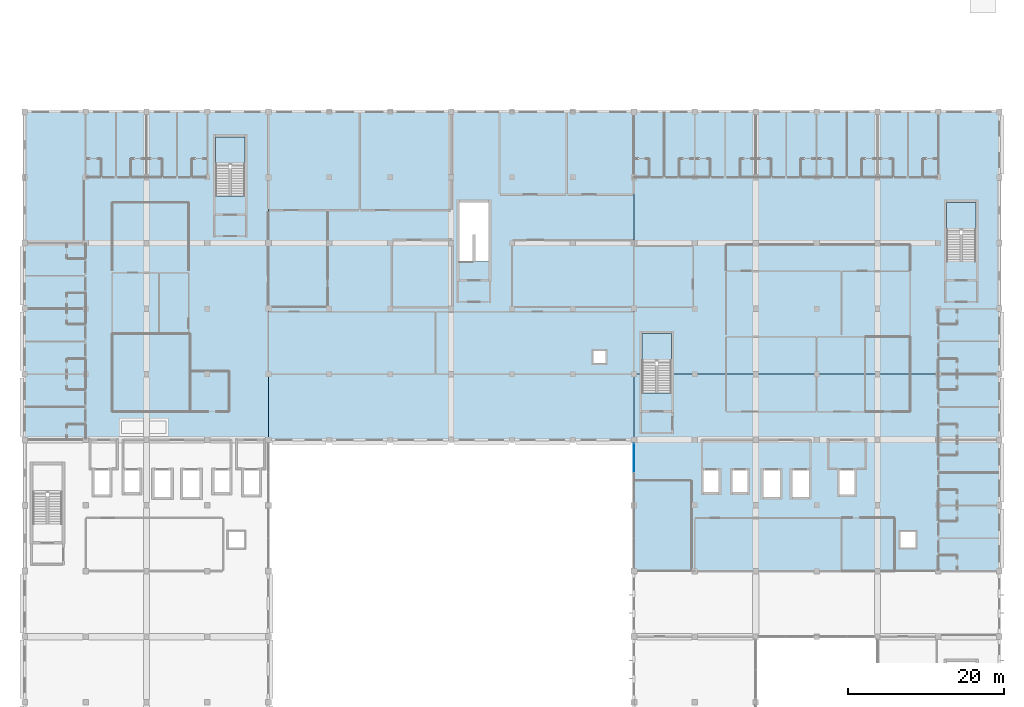
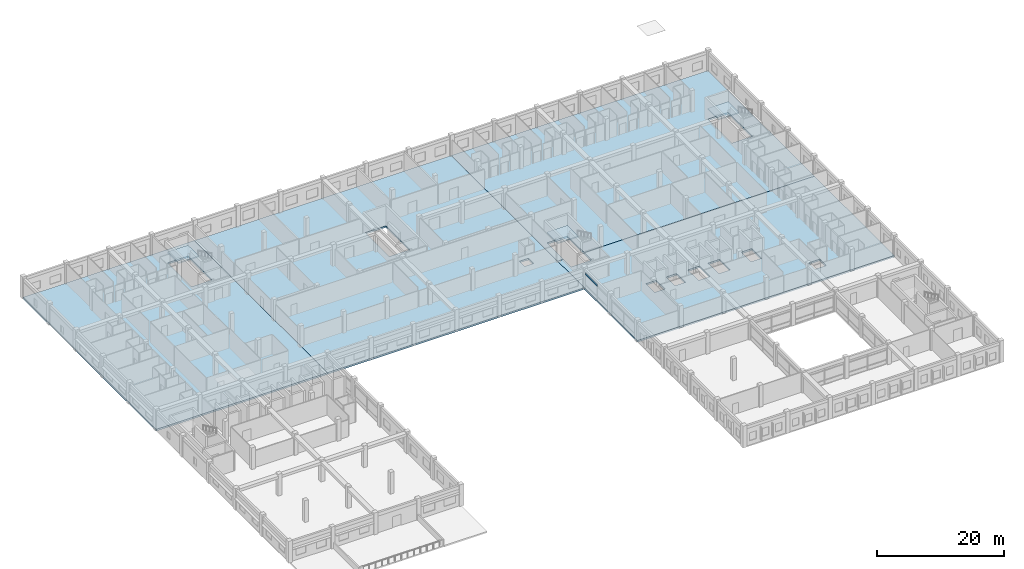
# One storey, part 26 of 53: 7 slabs, 1 plate, 4 elements without a shape of their own.
"""IFC4 building model written with IfcOpenShell, lengths in metres."""

import ifcopenshell
import ifcopenshell.guid

model = None  # the IFC model being written
_history = None  # IfcOwnerHistory: only IFC2X3 demands one
_inside = {}  # id of a spatial element -> (the spatial element, [elements in it])
_under = {}  # id of a project, library or spatial element -> (it, [spatial elements below it])
_declared = {}  # id of a project -> (the project, [libraries it declares])
_typed = {}  # id of a type object -> (the type object, [elements of that type])
_made_of = {}  # id of a material, layer set ... -> (it, [elements and type objects made of it])


def new_model(schema):
    """Start an empty IFC model of exactly this schema.

    Asked for "IFC4X3", IfcOpenShell would pick the latest addendum, in which some entities
    have other attributes; the version numbers below select the first issue.
    IFC2X3 requires an IfcOwnerHistory on every rooted entity: one is made here for all.
    """
    global model, _history
    if schema == "IFC4X3":
        model = ifcopenshell.file(schema_version=(4, 3, 0, 0))
    else:
        model = ifcopenshell.file(schema=schema)
    _inside.clear()
    _under.clear()
    _declared.clear()
    _typed.clear()
    _made_of.clear()
    _history = None
    if model.schema == "IFC2X3":
        org = make("IfcOrganization", Name="unknown")
        user = make(
            "IfcPersonAndOrganization",
            ThePerson=make("IfcPerson", FamilyName="unknown"),
            TheOrganization=org,
        )
        app = make(
            "IfcApplication",
            ApplicationDeveloper=org,
            Version="unknown",
            ApplicationFullName="unknown",
            ApplicationIdentifier="unknown",
        )
        _history = make(
            "IfcOwnerHistory",
            OwningUser=user,
            OwningApplication=app,
            ChangeAction="ADDED",
            CreationDate=0,
        )
    return model


def make(cls, **values):
    """One entity of the class cls with the attributes given. An attribute that is None is left unset."""
    return model.create_entity(
        cls, **{name: value for name, value in values.items() if value is not None}
    )


def rooted(cls, **values):
    """An entity with a GlobalId (a new one), such as an element, a storey or a relation."""
    return make(cls, GlobalId=ifcopenshell.guid.new(), OwnerHistory=_history, **values)


def si_unit(unit_type, name, prefix=None):
    """IfcSIUnit, for example si_unit("LENGTHUNIT", "METRE", prefix="MILLI")."""
    return make("IfcSIUnit", UnitType=unit_type, Prefix=prefix, Name=name)


def assignment(units):
    """IfcUnitAssignment: the units of a project."""
    return None if units is None else make("IfcUnitAssignment", Units=units)


def point(xyz):
    """IfcCartesianPoint."""
    return None if xyz is None else make("IfcCartesianPoint", Coordinates=xyz)


def direction(xyz):
    """IfcDirection."""
    return None if xyz is None else make("IfcDirection", DirectionRatios=xyz)


def frame(location, z_axis=None, x_axis=None):
    """IfcAxis2Placement3D, a coordinate frame: its origin and axes. An axis left out is left unset."""
    return make(
        "IfcAxis2Placement3D",
        Location=point(location),
        Axis=direction(z_axis),
        RefDirection=direction(x_axis),
    )


def frame_2d(location, x_axis=None):
    """IfcAxis2Placement2D, a coordinate frame in the plane: its origin and x axis."""
    return make(
        "IfcAxis2Placement2D", Location=point(location), RefDirection=direction(x_axis)
    )


def origin():
    """The frame at (0, 0, 0) with its axes left unset."""
    return frame((0.0, 0.0, 0.0))


def origin_2d():
    """The frame at (0, 0) in the plane with its x axis left unset."""
    return frame_2d((0.0, 0.0))


def place(relative_to, where):
    """IfcLocalPlacement: puts the frame where relative to a parent placement (None: the world)."""
    return make(
        "IfcLocalPlacement", PlacementRelTo=relative_to, RelativePlacement=where
    )


def context(
    kind, dimensions, precision=None, world=None, true_north=None, identifier=None
):
    """IfcGeometricRepresentationContext, for example the 3D "Model" context."""
    return make(
        "IfcGeometricRepresentationContext",
        ContextIdentifier=identifier,
        ContextType=kind,
        CoordinateSpaceDimension=dimensions,
        Precision=precision,
        WorldCoordinateSystem=world,
        TrueNorth=true_north,
    )


def subcontext(parent, identifier, kind, view, scale=None):
    """IfcGeometricRepresentationSubContext, for example "Body" below "Model"."""
    return make(
        "IfcGeometricRepresentationSubContext",
        ContextIdentifier=identifier,
        ContextType=kind,
        ParentContext=parent,
        TargetScale=scale,
        TargetView=view,
    )


def project(units=None, contexts=None):
    """IfcProject with its units and contexts."""
    return rooted(
        "IfcProject",
        Name="project",
        RepresentationContexts=contexts,
        UnitsInContext=assignment(units),
    )


def spatial(cls, under=None, at=None, **own):
    """A site, building, storey or space (cls), placed at a placement, below another one or the project."""
    s = rooted(cls, ObjectPlacement=at, **own)
    if under is not None:
        _under.setdefault(under.id(), (under, []))[1].append(s)
    return s


def polyline(points):
    """IfcPolyline through the points."""
    return make("IfcPolyline", Points=[point(p) for p in points])


def profile(cls, at=None, kind="AREA", **sizes):
    """A parametric profile (cls). Its sizes go by their IFC names, for example OverallWidth=200.0."""
    return make(cls, ProfileType=kind, Position=at, **sizes)


def rectangle(**sizes):
    """IfcRectangleProfileDef."""
    return profile("IfcRectangleProfileDef", **sizes)


def outline(outer, holes=None, kind="AREA"):
    """IfcArbitraryClosedProfileDef: a profile drawn as a closed curve; with holes, ...WithVoids."""
    if holes is None:
        return make("IfcArbitraryClosedProfileDef", ProfileType=kind, OuterCurve=outer)
    return make(
        "IfcArbitraryProfileDefWithVoids",
        ProfileType=kind,
        OuterCurve=outer,
        InnerCurves=holes,
    )


def extrude(swept, where, along, depth):
    """IfcExtrudedAreaSolid: the profile swept, set in the frame where, extruded along a direction by depth."""
    return make(
        "IfcExtrudedAreaSolid",
        SweptArea=swept,
        Position=where,
        ExtrudedDirection=direction(along),
        Depth=depth,
    )


def shape(context_of_items, identifier, shape_type, items):
    """IfcShapeRepresentation: the items that make up one representation, for example the "Body"."""
    return make(
        "IfcShapeRepresentation",
        ContextOfItems=context_of_items,
        RepresentationIdentifier=identifier,
        RepresentationType=shape_type,
        Items=items,
    )


def material(Name=None, Category=None):
    """IfcMaterial."""
    return make("IfcMaterial", Name=Name, Category=Category)


def layer(
    of_material, thickness, ventilated=None, Name=None, Category=None, Priority=None
):
    """IfcMaterialLayer: one layer of a wall or slab, of a material (None: an air gap)."""
    return make(
        "IfcMaterialLayer",
        Material=of_material,
        LayerThickness=thickness,
        IsVentilated=ventilated,
        Name=Name,
        Category=Category,
        Priority=Priority,
    )


def layer_set(layers, Name=None):
    """IfcMaterialLayerSet."""
    return make("IfcMaterialLayerSet", MaterialLayers=layers, LayerSetName=Name)


def made_of(thing, what):
    """Note that an element or type object is made of a material, layer set ...; save() writes the relation."""
    if what is not None:
        _made_of.setdefault(what.id(), (what, []))[1].append(thing)
    return thing


def type_object(cls, material=None, **own):
    """A type object (cls), such as IfcWallType, which elements share."""
    return made_of(rooted(cls, **own), material)


def element(
    cls,
    number,
    at=None,
    inside=None,
    cuts=None,
    type_object=None,
    material=None,
    context=None,
    identifier="Body",
    shape_type=None,
    held_by="IfcProductDefinitionShape",
    body=None,
    shapes=None,
    **own,
):
    """One element of the class cls, such as IfcWall. Its Tag is "e" and its number.

    at: its placement. inside: the storey or other place that contains it. cuts: it is an
    opening in that element (IfcRelVoidsElement). A single representation is given by context,
    identifier, shape_type and body (its items); several are given by shapes. held_by: the class
    of the entity that holds the representations. save() writes the other relations.
    """
    e = rooted(cls, Tag="e%d" % number, ObjectPlacement=at, **own)
    if body is not None:
        shapes = [shape(context, identifier, shape_type, body)]
    if shapes is not None:
        e.Representation = make(held_by, Representations=shapes)
    if inside is not None:
        _inside.setdefault(inside.id(), (inside, []))[1].append(e)
    if cuts is not None:
        rooted(
            "IfcRelVoidsElement", RelatingBuildingElement=cuts, RelatedOpeningElement=e
        )
    if type_object is not None:
        _typed.setdefault(type_object.id(), (type_object, []))[1].append(e)
    return made_of(e, material)


def aggregate(whole, parts):
    """IfcRelAggregates: a whole, such as a stair, and the parts it consists of."""
    return rooted("IfcRelAggregates", RelatingObject=whole, RelatedObjects=parts)


def save(model, path):
    """Write the relations noted so far, then the file.

    IfcRelAggregates (storeys below a building ...), IfcRelContainedInSpatialStructure (elements
    in a storey), IfcRelDefinesByType, IfcRelAssociatesMaterial and IfcRelDeclares: one each for
    every whole, place, type object, material and project.
    """
    for whole, parts in _under.values():
        aggregate(whole, parts)
    for where, things in _inside.values():
        rooted(
            "IfcRelContainedInSpatialStructure",
            RelatedElements=things,
            RelatingStructure=where,
        )
    for kind, things in _typed.values():
        rooted("IfcRelDefinesByType", RelatedObjects=things, RelatingType=kind)
    for what, things in _made_of.values():
        rooted("IfcRelAssociatesMaterial", RelatedObjects=things, RelatingMaterial=what)
    for by, libraries in _declared.values():
        rooted("IfcRelDeclares", RelatingContext=by, RelatedDefinitions=libraries)
    model.write(path)


model = new_model("IFC4")

# Units and contexts
model_context = context("Model", 3, precision=1e-05, world=origin(), true_north=direction((0.0, 1.0)))
body_context = subcontext(model_context, "Body", "Model", "MODEL_VIEW")
ifc_project = project(units=[si_unit("LENGTHUNIT", "METRE"), si_unit("AREAUNIT", "SQUARE_METRE"), si_unit("VOLUMEUNIT", "CUBIC_METRE"), si_unit("PLANEANGLEUNIT", "RADIAN"), si_unit("MASSUNIT", "GRAM", prefix="KILO"), si_unit("THERMODYNAMICTEMPERATUREUNIT", "KELVIN"), si_unit("POWERUNIT", "WATT")], contexts=[model_context])

# Site, building, storey
site_placement = place(None, origin())
site = spatial("IfcSite", under=ifc_project, at=site_placement, CompositionType="ELEMENT")
building_placement = place(site_placement, origin())
building = spatial("IfcBuilding", under=site, at=building_placement, Name="Srebrne Nadtorze General Hospital", CompositionType="ELEMENT")
storey_placement = place(building_placement, frame((0.0, 0.0, 18.0)))
storey = spatial("IfcBuildingStorey", under=building, at=storey_placement, Name="L04", CompositionType="ELEMENT", Elevation=18.0)

# Curtain wall, plate
ifc_material_1 = material(Name="Anodised Aluminium", Category="aluminium")
curtain_wall_type = type_object("IfcCurtainWallType", Name="Unitised curtain wall 7650x3235", PredefinedType="NOTDEFINED", material=ifc_material_1)
curtain_wall_placement = place(storey_placement, origin())
curtain_wall = element("IfcCurtainWall", 1, at=curtain_wall_placement, inside=storey, type_object=curtain_wall_type, Name="Curtain wall CW-109", PredefinedType="NOTDEFINED")
ifc_material_2 = material(Name="Triple Low-E Glazing", Category="glass")
ifc_layer_1 = layer(ifc_material_2, 0.050048828125)
ifc_layer_set_1 = layer_set([ifc_layer_1], Name="Triple Low-E Glazing")
plate_type = type_object("IfcPlateType", Name="Glazed curtain panel 50", PredefinedType="CURTAIN_PANEL", material=ifc_layer_set_1)
plate_placement = place(storey_placement, frame((101.39990234375, 48.09619140625, 2.767578125), z_axis=(0.0, 0.0, 1.0), x_axis=(0.0, 1.0, 0.0)))
plate = element("IfcPlate", 2, at=plate_placement, type_object=plate_type, Name="CW-109 panel 2.3", PredefinedType="CURTAIN_PANEL", context=body_context, shape_type="SweptSolid", body=[
    extrude(rectangle(XDim=3.7275390625, YDim=0.050048828125, at=origin_2d()), origin(), (0.0, 0.0, 1.0), 0.402587890625),
])
aggregate(curtain_wall, [plate])

# Stair, slab
ifc_material_3 = material(Name="Concrete C35/45", Category="concrete")
stair_type = type_object("IfcStairType", Name="Dog-leg escape stair 420", PredefinedType="HALF_TURN_STAIR", material=ifc_material_3)
stair_1_placement = place(storey_placement, origin())
stair_1 = element("IfcStair", 3, at=stair_1_placement, inside=storey, type_object=stair_type, Name="Escape stair ST-02-L04", PredefinedType="HALF_TURN_STAIR")
ifc_material_4 = material(Name="Concrete C35/45", Category="concrete")
ifc_layer_2 = layer(ifc_material_4, 0.219970703125)
ifc_layer_set_2 = layer_set([ifc_layer_2], Name="Concrete C35/45")
slab_type_1 = type_object("IfcSlabType", Name="Stair landing slab 220", PredefinedType="LANDING", material=ifc_layer_set_2)
slab_1_placement = place(storey_placement, frame((0.0, 0.0, 1.8798828125)))
slab_1 = element("IfcSlab", 4, at=slab_1_placement, type_object=slab_type_1, Name="ST-02 landing 1", PredefinedType="LANDING", context=body_context, shape_type="SweptSolid", body=[
    extrude(outline(polyline([(47.85009765625, 85.760009765625), (51.60009765625, 85.760009765625), (51.60009765625, 89.199951171875), (47.85009765625, 89.199951171875), (47.85009765625, 85.760009765625)])), origin(), (0.0, 0.0, 1.0), 0.22021484375),
])
aggregate(stair_1, [slab_1])

stair_2_placement = place(storey_placement, origin())
stair_2 = element("IfcStair", 5, at=stair_2_placement, inside=storey, type_object=stair_type, Name="Escape stair ST-03-L04", PredefinedType="HALF_TURN_STAIR")
slab_2_placement = place(storey_placement, frame((0.0, 0.0, 1.8798828125)))
slab_2 = element("IfcSlab", 6, at=slab_2_placement, type_object=slab_type_1, Name="ST-03 landing 1", PredefinedType="LANDING", context=body_context, shape_type="SweptSolid", body=[
    extrude(outline(polyline([(102.449951171875, 60.56005859375), (106.199951171875, 60.56005859375), (106.199951171875, 64.0), (102.449951171875, 64.0), (102.449951171875, 60.56005859375)])), origin(), (0.0, 0.0, 1.0), 0.22021484375),
])
aggregate(stair_2, [slab_2])

stair_3_placement = place(storey_placement, origin())
stair_3 = element("IfcStair", 7, at=stair_3_placement, inside=storey, type_object=stair_type, Name="Escape stair ST-04-L04", PredefinedType="HALF_TURN_STAIR")
slab_3_placement = place(storey_placement, frame((0.0, 0.0, 1.8798828125)))
slab_3 = element("IfcSlab", 8, at=slab_3_placement, type_object=slab_type_1, Name="ST-04 landing 1", PredefinedType="LANDING", context=body_context, shape_type="SweptSolid", body=[
    extrude(outline(polyline([(141.449951171875, 77.360107421875), (145.199951171875, 77.360107421875), (145.199951171875, 80.800048828125), (141.449951171875, 80.800048828125), (141.449951171875, 77.360107421875)])), origin(), (0.0, 0.0, 1.0), 0.22021484375),
])
aggregate(stair_3, [slab_3])

# Slabs
ifc_material_5 = material(Name="Concrete C35/45", Category="concrete")
ifc_layer_3 = layer(ifc_material_5, 0.330078125)
ifc_layer_set_3 = layer_set([ifc_layer_3], Name="Concrete C35/45")
slab_type_2 = type_object("IfcSlabType", Name="Suspended floor slab 330", PredefinedType="FLOOR", material=ifc_layer_set_3)
slab_4_placement = place(storey_placement, frame((0.0, 0.0, -0.330078125)))
element("IfcSlab", 9, at=slab_4_placement, inside=storey, type_object=slab_type_2, Name="Suspended floor slab SL-L04-WN", PredefinedType="FLOOR", context=body_context, shape_type="SweptSolid", body=[
    extrude(outline(polyline([(54.60009765625, 50.39990234375), (54.60009765625, 92.39990234375), (23.39990234375, 92.39990234375), (23.39990234375, 50.39990234375), (54.60009765625, 50.39990234375)]), holes=[polyline([(51.60009765625, 81.60498046875), (47.85009765625, 81.60498046875), (47.85009765625, 89.199951171875), (51.60009765625, 89.199951171875), (51.60009765625, 81.60498046875)])]), origin(), (0.0, 0.0, 1.0), 0.330078125),
])
slab_5_placement = place(storey_placement, frame((0.0, 0.0, -0.330078125)))
element("IfcSlab", 10, at=slab_5_placement, inside=storey, type_object=slab_type_2, Name="Suspended floor slab SL-L04-SUR", PredefinedType="FLOOR", context=body_context, shape_type="SweptSolid", body=[
    extrude(outline(polyline([(101.39990234375, 50.39990234375), (101.39990234375, 92.39990234375), (54.60009765625, 92.39990234375), (54.60009765625, 50.39990234375), (101.39990234375, 50.39990234375)]), holes=[polyline([(96.199951171875, 60.199951171875), (96.199951171875, 61.800048828125), (97.800048828125, 61.800048828125), (97.800048828125, 60.199951171875), (96.199951171875, 60.199951171875)]), polyline([(79.050048828125, 73.205078125), (79.050048828125, 80.800048828125), (82.800048828125, 80.800048828125), (82.800048828125, 73.205078125), (79.050048828125, 73.205078125)])]), origin(), (0.0, 0.0, 1.0), 0.330078125),
])
slab_6_placement = place(storey_placement, frame((0.0, 0.0, -0.330078125)))
element("IfcSlab", 11, at=slab_6_placement, inside=storey, type_object=slab_type_2, Name="Suspended floor slab SL-L04-ES", PredefinedType="FLOOR", context=body_context, shape_type="SweptSolid", body=[
    extrude(outline(polyline([(106.199951171875, 58.800048828125), (106.199951171875, 56.405029296875), (102.449951171875, 56.405029296875), (102.449951171875, 58.800048828125), (101.39990234375, 58.800048828125), (101.39990234375, 33.60009765625), (148.199951171875, 33.60009765625), (148.199951171875, 58.800048828125), (106.199951171875, 58.800048828125)]), holes=[polyline([(135.5, 36.60009765625), (135.5, 38.60009765625), (137.5, 38.60009765625), (137.5, 36.60009765625), (135.5, 36.60009765625)]), polyline([(118.0, 43.110107421875), (118.0, 46.4599609375), (120.10009765625, 46.4599609375), (120.10009765625, 43.110107421875), (118.0, 43.110107421875)]), polyline([(123.800048828125, 43.110107421875), (121.699951171875, 43.110107421875), (121.699951171875, 46.4599609375), (123.800048828125, 46.4599609375), (123.800048828125, 43.110107421875)]), polyline([(127.75, 43.409912109375), (127.75, 46.4599609375), (129.64990234375, 46.4599609375), (129.64990234375, 43.409912109375), (127.75, 43.409912109375)]), polyline([(110.35009765625, 43.7099609375), (110.35009765625, 46.4599609375), (112.25, 46.4599609375), (112.25, 43.7099609375), (110.35009765625, 43.7099609375)]), polyline([(115.949951171875, 43.7099609375), (114.050048828125, 43.7099609375), (114.050048828125, 46.4599609375), (115.949951171875, 46.4599609375), (115.949951171875, 43.7099609375)])]), origin(), (0.0, 0.0, 1.0), 0.330078125),
])
slab_7_placement = place(storey_placement, frame((0.0, 0.0, -0.330078125)))
element("IfcSlab", 12, at=slab_7_placement, inside=storey, type_object=slab_type_2, Name="Suspended floor slab SL-L04-EN", PredefinedType="FLOOR", context=body_context, shape_type="SweptSolid", body=[
    extrude(outline(polyline([(102.449951171875, 58.800048828125), (102.449951171875, 64.0), (106.199951171875, 64.0), (106.199951171875, 58.800048828125), (148.199951171875, 58.800048828125), (148.199951171875, 92.39990234375), (101.39990234375, 92.39990234375), (101.39990234375, 58.800048828125), (102.449951171875, 58.800048828125)]), holes=[polyline([(141.449951171875, 73.205078125), (141.449951171875, 80.800048828125), (145.199951171875, 80.800048828125), (145.199951171875, 73.205078125), (141.449951171875, 73.205078125)])]), origin(), (0.0, 0.0, 1.0), 0.330078125),
])

save(model, "model.ifc")
